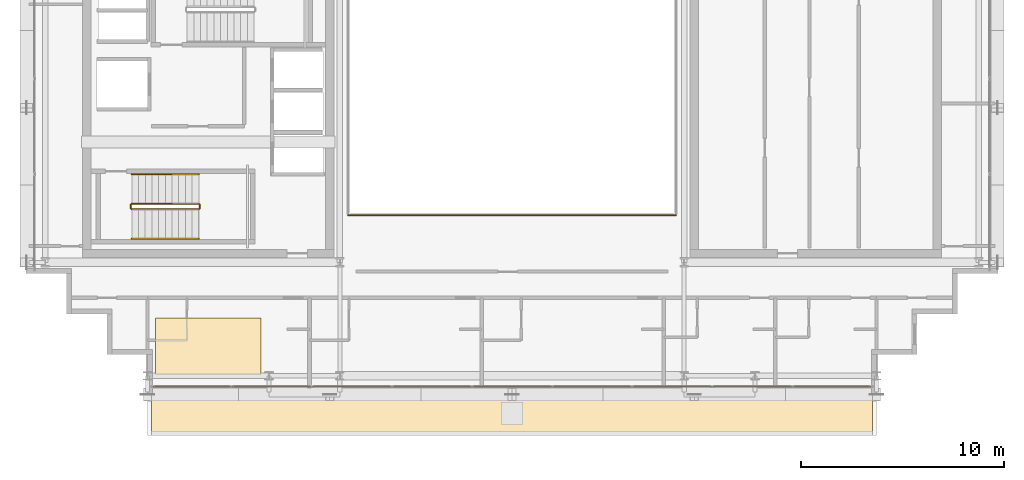
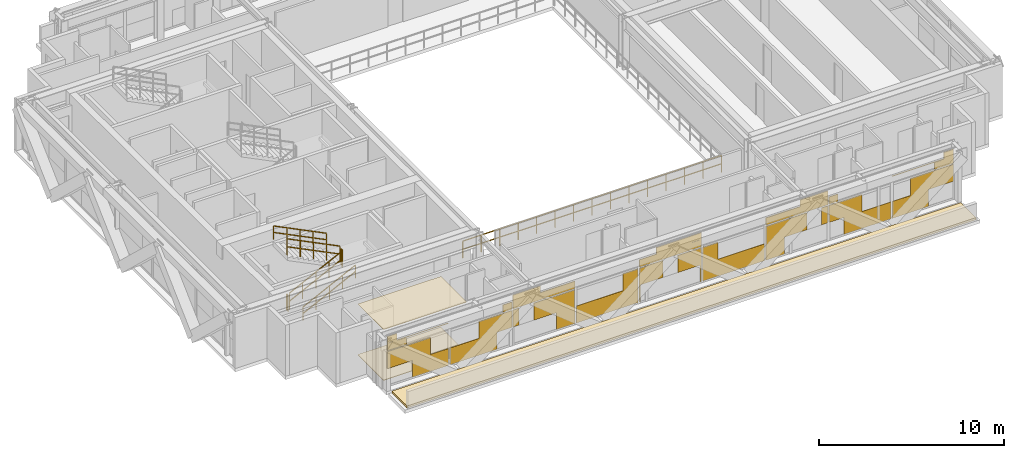
# One storey, part 24 of 27: 7 railings, 4 coverings.
"""IFC4 building model written with IfcOpenShell, lengths in metres."""

from ifc_helpers import new_model, si_unit, direction, frame, origin, origin_2d, place, context, subcontext, project, spatial, polyline, rectangle, outline, extrude, material, layer, layer_set, type_object, element, save


model = new_model("IFC4")

# Units and contexts
model_context = context("Model", 3, precision=1e-05, world=origin(), true_north=direction((0.0, 1.0)))
body_context = subcontext(model_context, "Body", "Model", "MODEL_VIEW")
ifc_project = project(units=[si_unit("LENGTHUNIT", "METRE"), si_unit("AREAUNIT", "SQUARE_METRE"), si_unit("VOLUMEUNIT", "CUBIC_METRE"), si_unit("PLANEANGLEUNIT", "RADIAN"), si_unit("MASSUNIT", "GRAM", prefix="KILO")], contexts=[model_context])

# Site, building, storey
site_placement = place(None, origin())
site = spatial("IfcSite", under=ifc_project, at=site_placement, CompositionType="ELEMENT")
building_placement = place(site_placement, origin())
building = spatial("IfcBuilding", under=site, at=building_placement, Name="Ocotamira Hotel", CompositionType="ELEMENT")
storey_placement = place(building_placement, frame((0.0, 0.0, 232.800048828125)))
storey = spatial("IfcBuildingStorey", under=building, at=storey_placement, Name="L58", CompositionType="ELEMENT", Elevation=232.800048828125)

# Coverings
ifc_material_1 = material(Name="Perforated acoustic gypsum ceiling board", Category="gypsum")
ifc_layer_1 = layer(ifc_material_1, 0.02490234375)
ifc_layer_set_1 = layer_set([ifc_layer_1], Name="Perforated acoustic gypsum ceiling board")
covering_type_1 = type_object("IfcCoveringType", Name="COV-CEIL-25", PredefinedType="CEILING", material=ifc_layer_set_1)
covering_1_placement = place(storey_placement, frame((0.0, 0.0, 3.35498046875)))
element("IfcCovering", 1, at=covering_1_placement, inside=storey, type_object=covering_type_1, Name="L58 Acoustic Ceiling", PredefinedType="CEILING", context=body_context, shape_type="SweptSolid", body=[
    extrude(outline(polyline([(14.39990234375, 9.0), (19.60009765625, 9.0), (19.60009765625, 11.800048828125), (14.39990234375, 11.800048828125), (14.39990234375, 9.0)])), origin(), (0.0, 0.0, 1.0), 0.02490234375),
])
ifc_material_2 = material(Name="Honed desert travertine stone flooring", Category="masonry")
ifc_layer_2 = layer(ifc_material_2, 0.030029296875)
ifc_layer_set_2 = layer_set([ifc_layer_2], Name="Honed desert travertine stone flooring")
covering_type_2 = type_object("IfcCoveringType", Name="COV-FLOR-30", PredefinedType="FLOORING", material=ifc_layer_set_2)
covering_2_placement = place(storey_placement, origin())
element("IfcCovering", 2, at=covering_2_placement, inside=storey, type_object=covering_type_2, Name="L58 Honed Stone Floor Finish", PredefinedType="FLOORING", context=body_context, shape_type="SweptSolid", body=[
    extrude(outline(polyline([(14.39990234375, 9.0), (19.60009765625, 9.0), (19.60009765625, 11.800048828125), (14.39990234375, 11.800048828125), (14.39990234375, 9.0)])), origin(), (0.0, 0.0, 1.0), 0.030029296875),
])
ifc_material_3 = material(Name="Insulated pale-metal aluminium spandrel panel", Category="aluminium")
ifc_layer_3 = layer(ifc_material_3, 0.044921875)
ifc_layer_set_3 = layer_set([ifc_layer_3], Name="Insulated pale-metal aluminium spandrel panel")
covering_type_3 = type_object("IfcCoveringType", Name="COV-INFILL-45", PredefinedType="CLADDING", material=ifc_layer_set_3)
covering_3_placement = place(storey_placement, origin())
element("IfcCovering", 3, at=covering_3_placement, inside=storey, type_object=covering_type_3, Name="L58 Curtain Wall Infill CW-5 CW-L58-S1", PredefinedType="CLADDING", context=body_context, shape_type="SweptSolid", body=[
    extrude(rectangle(XDim=2.69970703125, YDim=0.044921875, at=origin_2d()), frame((15.63037109375, 8.419921875, 1.19384765625), z_axis=(0.0, 0.0, 1.0), x_axis=(1.0, 0.0, 0.0)), (0.0, 0.0, 1.0), 1.117919921875),
    extrude(rectangle(XDim=2.25439453125, YDim=0.044921875, at=origin_2d()), frame((16.98779296875, 8.419921875, 0.0751953125), z_axis=(0.0, 0.0, 1.0), x_axis=(1.0, 0.0, 0.0)), (0.0, 0.0, 1.0), 1.117919921875),
    extrude(rectangle(XDim=1.20751953125, YDim=0.044921875, at=origin_2d()), frame((14.88427734375, 8.419921875, 2.387939453125), z_axis=(0.0, 0.0, 1.0), x_axis=(1.0, 0.0, 0.0)), (0.0, 0.0, 1.0), 0.45263671875),
    extrude(rectangle(XDim=3.834716796875, YDim=0.044921875, at=origin_2d()), frame((16.19775390625, 8.419921875, 2.841552734375), z_axis=(0.0, 0.0, 1.0), x_axis=(1.0, 0.0, 0.0)), (0.0, 0.0, 1.0), 0.0302734375),
    extrude(rectangle(XDim=0.601318359375, YDim=0.044921875, at=origin_2d()), frame((14.581298828125, 8.419921875, 2.872802734375), z_axis=(0.0, 0.0, 1.0), x_axis=(1.0, 0.0, 0.0)), (0.0, 0.0, 1.0), 0.431640625),
    extrude(rectangle(XDim=2.943359375, YDim=0.044921875, at=origin_2d()), frame((19.667724609375, 8.419921875, 0.0751953125), z_axis=(0.0, 0.0, 1.0), x_axis=(1.0, 0.0, 0.0)), (0.0, 0.0, 1.0), 1.117919921875),
    extrude(rectangle(XDim=2.05078125, YDim=0.044921875, at=origin_2d()), frame((21.04541015625, 8.419921875, 1.19384765625), z_axis=(0.0, 0.0, 1.0), x_axis=(1.0, 0.0, 0.0)), (0.0, 0.0, 1.0), 1.117919921875),
    extrude(rectangle(XDim=0.55859375, YDim=0.044921875, at=origin_2d()), frame((21.79150390625, 8.419921875, 2.387939453125), z_axis=(0.0, 0.0, 1.0), x_axis=(1.0, 0.0, 0.0)), (0.0, 0.0, 1.0), 0.48388671875),
    extrude(rectangle(XDim=0.38623046875, YDim=0.044921875, at=origin_2d()), frame((22.3447265625, 8.419921875, 1.19384765625), z_axis=(0.0, 0.0, 1.0), x_axis=(1.0, 0.0, 0.0)), (0.0, 0.0, 1.0), 1.117919921875),
    extrude(rectangle(XDim=2.564208984375, YDim=0.044921875, at=origin_2d()), frame((24.744140625, 8.419921875, 1.19384765625), z_axis=(0.0, 0.0, 1.0), x_axis=(1.0, 0.0, 0.0)), (0.0, 0.0, 1.0), 1.117919921875),
    extrude(rectangle(XDim=1.16552734375, YDim=0.044921875, at=origin_2d()), frame((25.443359375, 8.419921875, 0.0751953125), z_axis=(0.0, 0.0, 1.0), x_axis=(1.0, 0.0, 0.0)), (0.0, 0.0, 1.0), 1.117919921875),
    extrude(rectangle(XDim=3.87451171875, YDim=0.044921875, at=origin_2d()), frame((24.0888671875, 8.419921875, 2.387939453125), z_axis=(0.0, 0.0, 1.0), x_axis=(1.0, 0.0, 0.0)), (0.0, 0.0, 1.0), 0.48388671875),
    extrude(rectangle(XDim=1.730224609375, YDim=0.044921875, at=origin_2d()), frame((23.0166015625, 8.419921875, 2.872802734375), z_axis=(0.0, 0.0, 1.0), x_axis=(1.0, 0.0, 0.0)), (0.0, 0.0, 1.0), 0.431640625),
    extrude(rectangle(XDim=3.87451171875, YDim=0.044921875, at=origin_2d()), frame((28.04443359375, 8.419921875, 0.0751953125), z_axis=(0.0, 0.0, 1.0), x_axis=(1.0, 0.0, 0.0)), (0.0, 0.0, 1.0), 1.117919921875),
    extrude(rectangle(XDim=0.9619140625, YDim=0.044921875, at=origin_2d()), frame((29.500732421875, 8.419921875, 1.19384765625), z_axis=(0.0, 0.0, 1.0), x_axis=(1.0, 0.0, 0.0)), (0.0, 0.0, 1.0), 1.117919921875),
    extrude(rectangle(XDim=0.07666015625, YDim=0.044921875, at=origin_2d()), frame((30.10107421875, 8.419921875, 0.0751953125), z_axis=(0.0, 0.0, 1.0), x_axis=(1.0, 0.0, 0.0)), (0.0, 0.0, 1.0), 1.117919921875),
    extrude(rectangle(XDim=1.47509765625, YDim=0.044921875, at=origin_2d()), frame((30.80029296875, 8.419921875, 1.19384765625), z_axis=(0.0, 0.0, 1.0), x_axis=(1.0, 0.0, 0.0)), (0.0, 0.0, 1.0), 1.117919921875),
    extrude(rectangle(XDim=1.47509765625, YDim=0.044921875, at=origin_2d()), frame((33.19970703125, 8.419921875, 1.19384765625), z_axis=(0.0, 0.0, 1.0), x_axis=(1.0, 0.0, 0.0)), (0.0, 0.0, 1.0), 1.117919921875),
    extrude(rectangle(XDim=0.07666015625, YDim=0.044921875, at=origin_2d()), frame((33.89892578125, 8.419921875, 0.0751953125), z_axis=(0.0, 0.0, 1.0), x_axis=(1.0, 0.0, 0.0)), (0.0, 0.0, 1.0), 1.117919921875),
    extrude(rectangle(XDim=3.87451171875, YDim=0.044921875, at=origin_2d()), frame((32.0, 8.419921875, 2.387939453125), z_axis=(0.0, 0.0, 1.0), x_axis=(1.0, 0.0, 0.0)), (0.0, 0.0, 1.0), 0.48388671875),
    extrude(rectangle(XDim=2.819091796875, YDim=0.044921875, at=origin_2d()), frame((32.527587890625, 8.419921875, 2.872802734375), z_axis=(0.0, 0.0, 1.0), x_axis=(1.0, 0.0, 0.0)), (0.0, 0.0, 1.0), 0.431640625),
    extrude(rectangle(XDim=3.87451171875, YDim=0.044921875, at=origin_2d()), frame((35.95556640625, 8.419921875, 0.0751953125), z_axis=(0.0, 0.0, 1.0), x_axis=(1.0, 0.0, 0.0)), (0.0, 0.0, 1.0), 1.117919921875),
    extrude(rectangle(XDim=0.9619140625, YDim=0.044921875, at=origin_2d()), frame((34.499267578125, 8.419921875, 1.19384765625), z_axis=(0.0, 0.0, 1.0), x_axis=(1.0, 0.0, 0.0)), (0.0, 0.0, 1.0), 1.117919921875),
    extrude(rectangle(XDim=1.16552734375, YDim=0.044921875, at=origin_2d()), frame((38.556640625, 8.419921875, 0.0751953125), z_axis=(0.0, 0.0, 1.0), x_axis=(1.0, 0.0, 0.0)), (0.0, 0.0, 1.0), 1.117919921875),
    extrude(rectangle(XDim=2.564208984375, YDim=0.044921875, at=origin_2d()), frame((39.255859375, 8.419921875, 1.19384765625), z_axis=(0.0, 0.0, 1.0), x_axis=(1.0, 0.0, 0.0)), (0.0, 0.0, 1.0), 1.117919921875),
    extrude(rectangle(XDim=0.38623046875, YDim=0.044921875, at=origin_2d()), frame((41.6552734375, 8.419921875, 1.19384765625), z_axis=(0.0, 0.0, 1.0), x_axis=(1.0, 0.0, 0.0)), (0.0, 0.0, 1.0), 1.117919921875),
    extrude(rectangle(XDim=3.87451171875, YDim=0.044921875, at=origin_2d()), frame((39.9111328125, 8.419921875, 2.387939453125), z_axis=(0.0, 0.0, 1.0), x_axis=(1.0, 0.0, 0.0)), (0.0, 0.0, 1.0), 0.48388671875),
    extrude(rectangle(XDim=1.730224609375, YDim=0.044921875, at=origin_2d()), frame((40.9833984375, 8.419921875, 2.872802734375), z_axis=(0.0, 0.0, 1.0), x_axis=(1.0, 0.0, 0.0)), (0.0, 0.0, 1.0), 0.431640625),
    extrude(rectangle(XDim=2.05078125, YDim=0.044921875, at=origin_2d()), frame((42.95458984375, 8.419921875, 1.19384765625), z_axis=(0.0, 0.0, 1.0), x_axis=(1.0, 0.0, 0.0)), (0.0, 0.0, 1.0), 1.117919921875),
    extrude(rectangle(XDim=2.943359375, YDim=0.044921875, at=origin_2d()), frame((44.332275390625, 8.419921875, 0.0751953125), z_axis=(0.0, 0.0, 1.0), x_axis=(1.0, 0.0, 0.0)), (0.0, 0.0, 1.0), 1.117919921875),
    extrude(rectangle(XDim=0.55859375, YDim=0.044921875, at=origin_2d()), frame((42.20849609375, 8.419921875, 2.387939453125), z_axis=(0.0, 0.0, 1.0), x_axis=(1.0, 0.0, 0.0)), (0.0, 0.0, 1.0), 0.48388671875),
    extrude(rectangle(XDim=2.25439453125, YDim=0.044921875, at=origin_2d()), frame((47.01220703125, 8.419921875, 0.0751953125), z_axis=(0.0, 0.0, 1.0), x_axis=(1.0, 0.0, 0.0)), (0.0, 0.0, 1.0), 1.117919921875),
    extrude(rectangle(XDim=2.69970703125, YDim=0.044921875, at=origin_2d()), frame((48.36962890625, 8.419921875, 1.19384765625), z_axis=(0.0, 0.0, 1.0), x_axis=(1.0, 0.0, 0.0)), (0.0, 0.0, 1.0), 1.117919921875),
    extrude(rectangle(XDim=3.834716796875, YDim=0.044921875, at=origin_2d()), frame((47.80224609375, 8.419921875, 2.841552734375), z_axis=(0.0, 0.0, 1.0), x_axis=(1.0, 0.0, 0.0)), (0.0, 0.0, 1.0), 0.0302734375),
    extrude(rectangle(XDim=1.20751953125, YDim=0.044921875, at=origin_2d()), frame((49.11572265625, 8.419921875, 2.387939453125), z_axis=(0.0, 0.0, 1.0), x_axis=(1.0, 0.0, 0.0)), (0.0, 0.0, 1.0), 0.45263671875),
    extrude(rectangle(XDim=0.601318359375, YDim=0.044921875, at=origin_2d()), frame((49.418701171875, 8.419921875, 2.872802734375), z_axis=(0.0, 0.0, 1.0), x_axis=(1.0, 0.0, 0.0)), (0.0, 0.0, 1.0), 0.431640625),
])
ifc_material_4 = material(Name="High-albedo cool-roof elastomeric membrane and polyiso insulation", Category="concrete")
ifc_layer_4 = layer(ifc_material_4, 0.139892578125)
ifc_layer_set_4 = layer_set([ifc_layer_4], Name="High-albedo cool-roof elastomeric membrane and polyiso insulation")
covering_type_4 = type_object("IfcCoveringType", Name="COV-ROOF-140", PredefinedType="ROOFING", material=ifc_layer_set_4)
covering_4_placement = place(storey_placement, origin())
element("IfcCovering", 4, at=covering_4_placement, inside=storey, type_object=covering_type_4, Name="L58 Cool-Roof Membrane Z4S", PredefinedType="ROOFING", context=body_context, shape_type="SweptSolid", body=[
    extrude(outline(polyline([(14.199951171875, 6.1201171875), (49.800048828125, 6.1201171875), (49.800048828125, 7.75), (14.199951171875, 7.75), (14.199951171875, 6.1201171875)])), origin(), (0.0, 0.0, 1.0), 0.139892578125),
])

# Railings
ifc_material_5 = material(Name="Painted steel stair guardrail", Category="steel")
railing_type_1 = type_object("IfcRailingType", Name="RL-EDGE-1150", PredefinedType="GUARDRAIL", material=ifc_material_5)
railing_1_placement = place(storey_placement, frame((23.89990234375, 16.8798828125, 0.0)))
element("IfcRailing", 5, at=railing_1_placement, inside=storey, type_object=railing_type_1, Name="L58 Central Atrium Edge Guardrail S", PredefinedType="GUARDRAIL", context=body_context, shape_type="SweptSolid", body=[
    extrude(rectangle(XDim=0.048095703125, YDim=0.048095703125, at=origin_2d()), frame((0.0, 0.0, 1.1259765625), z_axis=(1.0, 0.0, 0.0), x_axis=(0.0, 1.0, 0.0)), (0.0, 0.0, 1.0), 16.2001953125),
    extrude(rectangle(XDim=0.048095703125, YDim=0.048095703125, at=origin_2d()), frame((0.0, 0.0, 0.574951171875), z_axis=(1.0, 0.0, 0.0), x_axis=(0.0, 1.0, 0.0)), (0.0, 0.0, 1.0), 16.2001953125),
    extrude(rectangle(XDim=0.0419921875, YDim=0.0419921875, at=origin_2d()), origin(), (0.0, 0.0, 1.0), 1.101806640625),
    extrude(rectangle(XDim=0.0419921875, YDim=0.0419921875, at=origin_2d()), frame((1.1572265625, 0.0, 0.0)), (0.0, 0.0, 1.0), 1.101806640625),
    extrude(rectangle(XDim=0.0419921875, YDim=0.0419921875, at=origin_2d()), frame((2.314208984375, 0.0, 0.0)), (0.0, 0.0, 1.0), 1.101806640625),
    extrude(rectangle(XDim=0.0419921875, YDim=0.0419921875, at=origin_2d()), frame((3.471435546875, 0.0, 0.0)), (0.0, 0.0, 1.0), 1.101806640625),
    extrude(rectangle(XDim=0.0419921875, YDim=0.0419921875, at=origin_2d()), frame((4.628662109375, 0.0, 0.0)), (0.0, 0.0, 1.0), 1.101806640625),
    extrude(rectangle(XDim=0.0419921875, YDim=0.0419921875, at=origin_2d()), frame((5.785888671875, 0.0, 0.0)), (0.0, 0.0, 1.0), 1.101806640625),
    extrude(rectangle(XDim=0.0419921875, YDim=0.0419921875, at=origin_2d()), frame((6.94287109375, 0.0, 0.0)), (0.0, 0.0, 1.0), 1.101806640625),
    extrude(rectangle(XDim=0.0419921875, YDim=0.0419921875, at=origin_2d()), frame((8.10009765625, 0.0, 0.0)), (0.0, 0.0, 1.0), 1.101806640625),
    extrude(rectangle(XDim=0.0419921875, YDim=0.0419921875, at=origin_2d()), frame((9.25732421875, 0.0, 0.0)), (0.0, 0.0, 1.0), 1.101806640625),
    extrude(rectangle(XDim=0.0419921875, YDim=0.0419921875, at=origin_2d()), frame((10.414306640625, 0.0, 0.0)), (0.0, 0.0, 1.0), 1.101806640625),
    extrude(rectangle(XDim=0.0419921875, YDim=0.0419921875, at=origin_2d()), frame((11.571533203125, 0.0, 0.0)), (0.0, 0.0, 1.0), 1.101806640625),
    extrude(rectangle(XDim=0.0419921875, YDim=0.0419921875, at=origin_2d()), frame((12.728759765625, 0.0, 0.0)), (0.0, 0.0, 1.0), 1.101806640625),
    extrude(rectangle(XDim=0.0419921875, YDim=0.0419921875, at=origin_2d()), frame((13.885986328125, 0.0, 0.0)), (0.0, 0.0, 1.0), 1.101806640625),
    extrude(rectangle(XDim=0.0419921875, YDim=0.0419921875, at=origin_2d()), frame((15.04296875, 0.0, 0.0)), (0.0, 0.0, 1.0), 1.101806640625),
    extrude(rectangle(XDim=0.0419921875, YDim=0.0419921875, at=origin_2d()), frame((16.2001953125, 0.0, 0.0)), (0.0, 0.0, 1.0), 1.101806640625),
])
ifc_material_6 = material(Name="Brushed stainless steel handrail", Category="steel")
railing_type_2 = type_object("IfcRailingType", Name="RL-HAND-900", PredefinedType="HANDRAIL", material=ifc_material_6)
railing_2_placement = place(storey_placement, frame((13.22998046875, 15.719970703125, 0.3271484375)))
element("IfcRailing", 6, at=railing_2_placement, inside=storey, type_object=railing_type_2, Name="L58 ST-1 stair handrail 1", PredefinedType="HANDRAIL", context=body_context, shape_type="SweptSolid", body=[
    extrude(rectangle(XDim=0.048095703125, YDim=0.048095703125, at=origin_2d()), frame((0.0, 0.0, 0.8759765625), z_axis=(0.895893744519, 0.0, 0.4442683857), x_axis=(0.0, 1.0, 0.0)), (0.0, 0.0, 1.0), 3.68359375),
    extrude(rectangle(XDim=0.048095703125, YDim=0.048095703125, at=origin_2d()), frame((0.0, 0.0, 0.449951171875), z_axis=(0.895893744519, 0.0, 0.4442683857), x_axis=(0.0, 1.0, 0.0)), (0.0, 0.0, 1.0), 3.68359375),
    extrude(rectangle(XDim=0.0419921875, YDim=0.0419921875, at=origin_2d()), origin(), (0.0, 0.0, 1.0), 0.851806640625),
    extrude(rectangle(XDim=0.0419921875, YDim=0.0419921875, at=origin_2d()), frame((0.824951171875, 0.0, 0.4091796875)), (0.0, 0.0, 1.0), 0.851806640625),
    extrude(rectangle(XDim=0.0419921875, YDim=0.0419921875, at=origin_2d()), frame((1.64990234375, 0.0, 0.818359375)), (0.0, 0.0, 1.0), 0.851806640625),
    extrude(rectangle(XDim=0.0419921875, YDim=0.0419921875, at=origin_2d()), frame((2.47509765625, 0.0, 1.227294921875)), (0.0, 0.0, 1.0), 0.851806640625),
    extrude(rectangle(XDim=0.0419921875, YDim=0.0419921875, at=origin_2d()), frame((3.300048828125, 0.0, 1.636474609375)), (0.0, 0.0, 1.0), 0.851806640625),
])
railing_3_placement = place(storey_placement, frame((16.530029296875, 18.89990234375, 2.127197265625)))
element("IfcRailing", 7, at=railing_3_placement, inside=storey, type_object=railing_type_2, Name="L58 ST-1 stair handrail 2", PredefinedType="HANDRAIL", context=body_context, shape_type="SweptSolid", body=[
    extrude(rectangle(XDim=0.048095703125, YDim=0.048095703125, at=origin_2d()), frame((0.0, 0.0, 0.8759765625), z_axis=(-0.895893744519, 0.0, 0.4442683857), x_axis=(0.0, -1.0, 0.0)), (0.0, 0.0, 1.0), 3.68359375),
    extrude(rectangle(XDim=0.048095703125, YDim=0.048095703125, at=origin_2d()), frame((0.0, 0.0, 0.449951171875), z_axis=(-0.895893744519, 0.0, 0.4442683857), x_axis=(0.0, -1.0, 0.0)), (0.0, 0.0, 1.0), 3.68359375),
    extrude(rectangle(XDim=0.0419921875, YDim=0.0419921875, at=origin_2d()), origin(), (0.0, 0.0, 1.0), 0.851806640625),
    extrude(rectangle(XDim=0.0419921875, YDim=0.0419921875, at=origin_2d()), frame((-0.824951171875, 0.0, 0.4091796875)), (0.0, 0.0, 1.0), 0.851806640625),
    extrude(rectangle(XDim=0.0419921875, YDim=0.0419921875, at=origin_2d()), frame((-1.64990234375, 0.0, 0.818359375)), (0.0, 0.0, 1.0), 0.851806640625),
    extrude(rectangle(XDim=0.0419921875, YDim=0.0419921875, at=origin_2d()), frame((-2.47509765625, 0.0, 1.227294921875)), (0.0, 0.0, 1.0), 0.851806640625),
    extrude(rectangle(XDim=0.0419921875, YDim=0.0419921875, at=origin_2d()), frame((-3.300048828125, 0.0, 1.636474609375)), (0.0, 0.0, 1.0), 0.851806640625),
])
railing_type_3 = type_object("IfcRailingType", Name="RL-STAIR-1100", PredefinedType="GUARDRAIL", material=ifc_material_5)
railing_4_placement = place(storey_placement, frame((13.22998046875, 17.179931640625, 0.16357421875)))
element("IfcRailing", 8, at=railing_4_placement, inside=storey, type_object=railing_type_3, Name="L58 ST-1 stair guard 1", PredefinedType="GUARDRAIL", context=body_context, shape_type="SweptSolid", body=[
    extrude(rectangle(XDim=0.048095703125, YDim=0.048095703125, at=origin_2d()), frame((0.0, 0.0, 1.076171875), z_axis=(0.895893744519, 0.0, 0.4442683857), x_axis=(0.0, 1.0, 0.0)), (0.0, 0.0, 1.0), 3.68359375),
    extrude(rectangle(XDim=0.048095703125, YDim=0.048095703125, at=origin_2d()), frame((0.0, 0.0, 0.550048828125), z_axis=(0.895893744519, 0.0, 0.4442683857), x_axis=(0.0, 1.0, 0.0)), (0.0, 0.0, 1.0), 3.68359375),
    extrude(rectangle(XDim=0.0419921875, YDim=0.0419921875, at=origin_2d()), origin(), (0.0, 0.0, 1.0), 1.052001953125),
    extrude(rectangle(XDim=0.0419921875, YDim=0.0419921875, at=origin_2d()), frame((0.824951171875, 0.0, 0.4091796875)), (0.0, 0.0, 1.0), 1.052001953125),
    extrude(rectangle(XDim=0.0419921875, YDim=0.0419921875, at=origin_2d()), frame((1.64990234375, 0.0, 0.818359375)), (0.0, 0.0, 1.0), 1.052001953125),
    extrude(rectangle(XDim=0.0419921875, YDim=0.0419921875, at=origin_2d()), frame((2.47509765625, 0.0, 1.227294921875)), (0.0, 0.0, 1.0), 1.052001953125),
    extrude(rectangle(XDim=0.0419921875, YDim=0.0419921875, at=origin_2d()), frame((3.300048828125, 0.0, 1.636474609375)), (0.0, 0.0, 1.0), 1.052001953125),
])
railing_5_placement = place(storey_placement, frame((16.580078125, 17.22998046875, 1.800048828125)))
element("IfcRailing", 9, at=railing_5_placement, inside=storey, type_object=railing_type_3, Name="L58 ST-1 stair guard 2", PredefinedType="GUARDRAIL", context=body_context, shape_type="SweptSolid", body=[
    extrude(rectangle(XDim=0.048095703125, YDim=0.048095703125, at=origin_2d()), frame((0.0, 0.0, 1.076171875), z_axis=(0.0, 1.0, 0.0), x_axis=(-1.0, 0.0, 0.0)), (0.0, 0.0, 1.0), 0.159912109375),
    extrude(rectangle(XDim=0.048095703125, YDim=0.048095703125, at=origin_2d()), frame((0.0, 0.0, 0.550048828125), z_axis=(0.0, 1.0, 0.0), x_axis=(-1.0, 0.0, 0.0)), (0.0, 0.0, 1.0), 0.159912109375),
    extrude(rectangle(XDim=0.0419921875, YDim=0.0419921875, at=origin_2d()), origin(), (0.0, 0.0, 1.0), 1.052001953125),
    extrude(rectangle(XDim=0.0419921875, YDim=0.0419921875, at=origin_2d()), frame((0.0, 0.159912109375, 0.0)), (0.0, 0.0, 1.0), 1.052001953125),
])
railing_6_placement = place(storey_placement, frame((16.530029296875, 17.43994140625, 1.963623046875)))
element("IfcRailing", 10, at=railing_6_placement, inside=storey, type_object=railing_type_3, Name="L58 ST-1 stair guard 3", PredefinedType="GUARDRAIL", context=body_context, shape_type="SweptSolid", body=[
    extrude(rectangle(XDim=0.048095703125, YDim=0.048095703125, at=origin_2d()), frame((0.0, 0.0, 1.076171875), z_axis=(-0.895920123917, 0.0, 0.444215186098), x_axis=(0.0, -1.0, 0.0)), (0.0, 0.0, 1.0), 3.683349609375),
    extrude(rectangle(XDim=0.048095703125, YDim=0.048095703125, at=origin_2d()), frame((0.0, 0.0, 0.550048828125), z_axis=(-0.895920123917, 0.0, 0.444215186098), x_axis=(0.0, -1.0, 0.0)), (0.0, 0.0, 1.0), 3.683349609375),
    extrude(rectangle(XDim=0.0419921875, YDim=0.0419921875, at=origin_2d()), origin(), (0.0, 0.0, 1.0), 1.052001953125),
    extrude(rectangle(XDim=0.0419921875, YDim=0.0419921875, at=origin_2d()), frame((-0.824951171875, 0.0, 0.4091796875)), (0.0, 0.0, 1.0), 1.052001953125),
    extrude(rectangle(XDim=0.0419921875, YDim=0.0419921875, at=origin_2d()), frame((-1.64990234375, 0.0, 0.818115234375)), (0.0, 0.0, 1.0), 1.052001953125),
    extrude(rectangle(XDim=0.0419921875, YDim=0.0419921875, at=origin_2d()), frame((-2.47509765625, 0.0, 1.22705078125)), (0.0, 0.0, 1.0), 1.052001953125),
    extrude(rectangle(XDim=0.0419921875, YDim=0.0419921875, at=origin_2d()), frame((-3.300048828125, 0.0, 1.63623046875)), (0.0, 0.0, 1.0), 1.052001953125),
])
railing_7_placement = place(storey_placement, frame((13.179931640625, 17.22998046875, 0.0)))
element("IfcRailing", 11, at=railing_7_placement, inside=storey, type_object=railing_type_3, Name="L58 ST-1 stair guard 4", PredefinedType="GUARDRAIL", context=body_context, shape_type="SweptSolid", body=[
    extrude(rectangle(XDim=0.048095703125, YDim=0.048095703125, at=origin_2d()), frame((0.0, 0.0, 1.076171875), z_axis=(0.0, 1.0, 0.0), x_axis=(-1.0, 0.0, 0.0)), (0.0, 0.0, 1.0), 0.159912109375),
    extrude(rectangle(XDim=0.048095703125, YDim=0.048095703125, at=origin_2d()), frame((0.0, 0.0, 0.550048828125), z_axis=(0.0, 1.0, 0.0), x_axis=(-1.0, 0.0, 0.0)), (0.0, 0.0, 1.0), 0.159912109375),
    extrude(rectangle(XDim=0.0419921875, YDim=0.0419921875, at=origin_2d()), origin(), (0.0, 0.0, 1.0), 1.052001953125),
    extrude(rectangle(XDim=0.0419921875, YDim=0.0419921875, at=origin_2d()), frame((0.0, 0.159912109375, 0.0)), (0.0, 0.0, 1.0), 1.052001953125),
])

save(model, "model.ifc")
